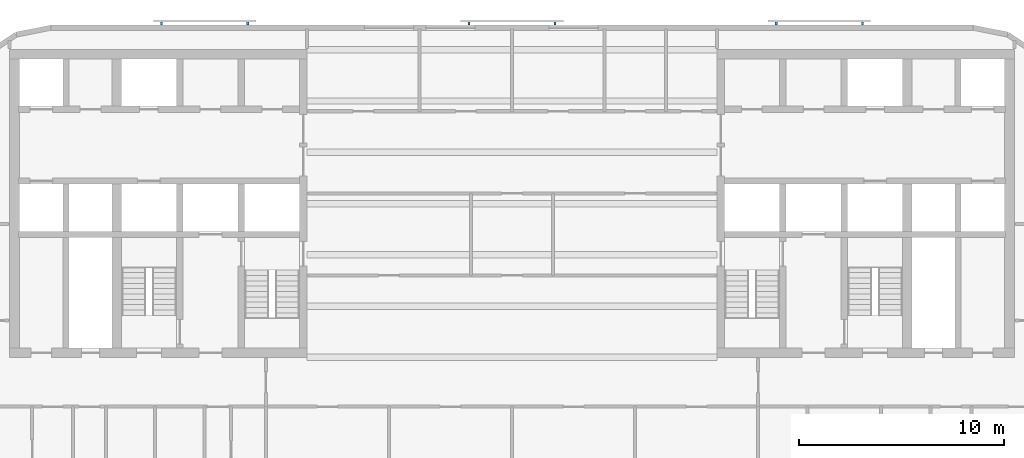
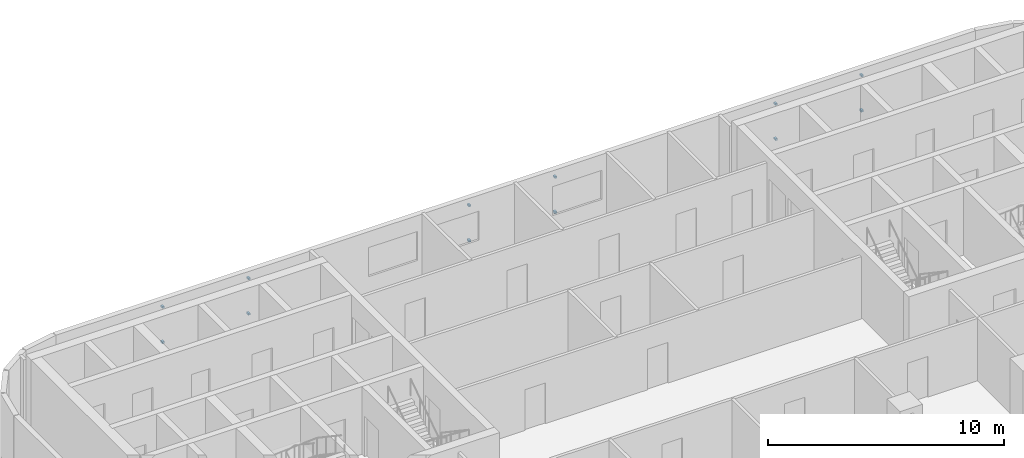
# One storey, part 8 of 11: 12 discrete accessories.
"""IFC4 building model written with IfcOpenShell, lengths in metres."""

from ifc_helpers import new_model, si_unit, direction, frame, origin, origin_2d, place, context, subcontext, project, spatial, rectangle, extrude, material, type_object, element, save


model = new_model("IFC4")

# Units and contexts
model_context = context("Model", 3, precision=1e-05, world=origin(), true_north=direction((0.0, 1.0)))
body_context = subcontext(model_context, "Body", "Model", "MODEL_VIEW")
ifc_project = project(units=[si_unit("LENGTHUNIT", "METRE"), si_unit("AREAUNIT", "SQUARE_METRE"), si_unit("VOLUMEUNIT", "CUBIC_METRE"), si_unit("PLANEANGLEUNIT", "RADIAN"), si_unit("MASSUNIT", "GRAM", prefix="KILO")], contexts=[model_context])

# Site, building, storey
site_placement = place(None, origin())
site = spatial("IfcSite", under=ifc_project, at=site_placement, CompositionType="ELEMENT")
building_placement = place(site_placement, origin())
building = spatial("IfcBuilding", under=site, at=building_placement, Name="Torana Hotel and Residences", CompositionType="ELEMENT")
storey_placement = place(building_placement, frame((0.0, 0.0, 236.10009765625)))
storey = spatial("IfcBuildingStorey", under=building, at=storey_placement, Name="L62", CompositionType="ELEMENT", Elevation=236.10009765625)

# Discrete accessories
ifc_material = material(Name="Steel S355", Category="steel")
discrete_accessory_type = type_object("IfcDiscreteAccessoryType", Name="SCREEN BRACKET 100", PredefinedType="BRACKET", material=ifc_material)
for number, where, z_axis, x_axis, name in (
    (1, (17.08349609375, 1.27490234375, 0.749755859375), (0.0, 0.0, 1.0), (-1.0, 0.0, 0.0), "Screen bracket L62"),
    (2, (17.08349609375, 1.27490234375, 2.56982421875), (0.0, 0.0, 1.0), (-1.0, 0.0, 0.0), "Screen bracket L62"),
    (3, (12.883544921875, 1.27490234375, 0.749755859375), (0.0, 0.0, 1.0), (-1.0, 0.0, 0.0), "Screen bracket L62"),
    (4, (12.883544921875, 1.27490234375, 2.56982421875), (0.0, 0.0, 1.0), (-1.0, 0.0, 0.0), "Screen bracket L62"),
    (5, (2.10009765625, 1.27490234375, 0.749755859375), (0.0, 0.0, 1.0), (-1.0, 0.0, 0.0), "Screen bracket L62"),
    (6, (2.10009765625, 1.27490234375, 2.56982421875), (0.0, 0.0, 1.0), (-1.0, 0.0, 0.0), "Screen bracket L62"),
    (7, (-2.10009765625, 1.27490234375, 0.749755859375), (0.0, 0.0, 1.0), (-1.0, 0.0, 0.0), "Screen bracket L62"),
    (8, (-2.10009765625, 1.27490234375, 2.56982421875), (0.0, 0.0, 1.0), (-1.0, 0.0, 0.0), "Screen bracket L62"),
    (9, (-12.883544921875, 1.27490234375, 0.749755859375), (0.0, 0.0, 1.0), (-1.0, 0.0, 0.0), "Screen bracket L62"),
    (10, (-12.883544921875, 1.27490234375, 2.56982421875), (0.0, 0.0, 1.0), (-1.0, 0.0, 0.0), "Screen bracket L62"),
    (11, (-17.08349609375, 1.27490234375, 0.749755859375), (0.0, 0.0, 1.0), (-1.0, 0.0, 0.0), "Screen bracket L62"),
    (12, (-17.08349609375, 1.27490234375, 2.56982421875), (0.0, 0.0, 1.0), (-1.0, 0.0, 0.0), "Screen bracket L62"),
):
    element("IfcDiscreteAccessory", number, at=place(storey_placement, frame(where, z_axis=z_axis, x_axis=x_axis)), inside=storey, type_object=discrete_accessory_type, Name=name, PredefinedType="BRACKET", context=body_context, shape_type="SweptSolid", body=[
        extrude(rectangle(XDim=0.10009765625, YDim=0.14990234375, at=origin_2d()), origin(), (0.0, 0.0, 1.0), 0.10009765625),
    ])

save(model, "model.ifc")
